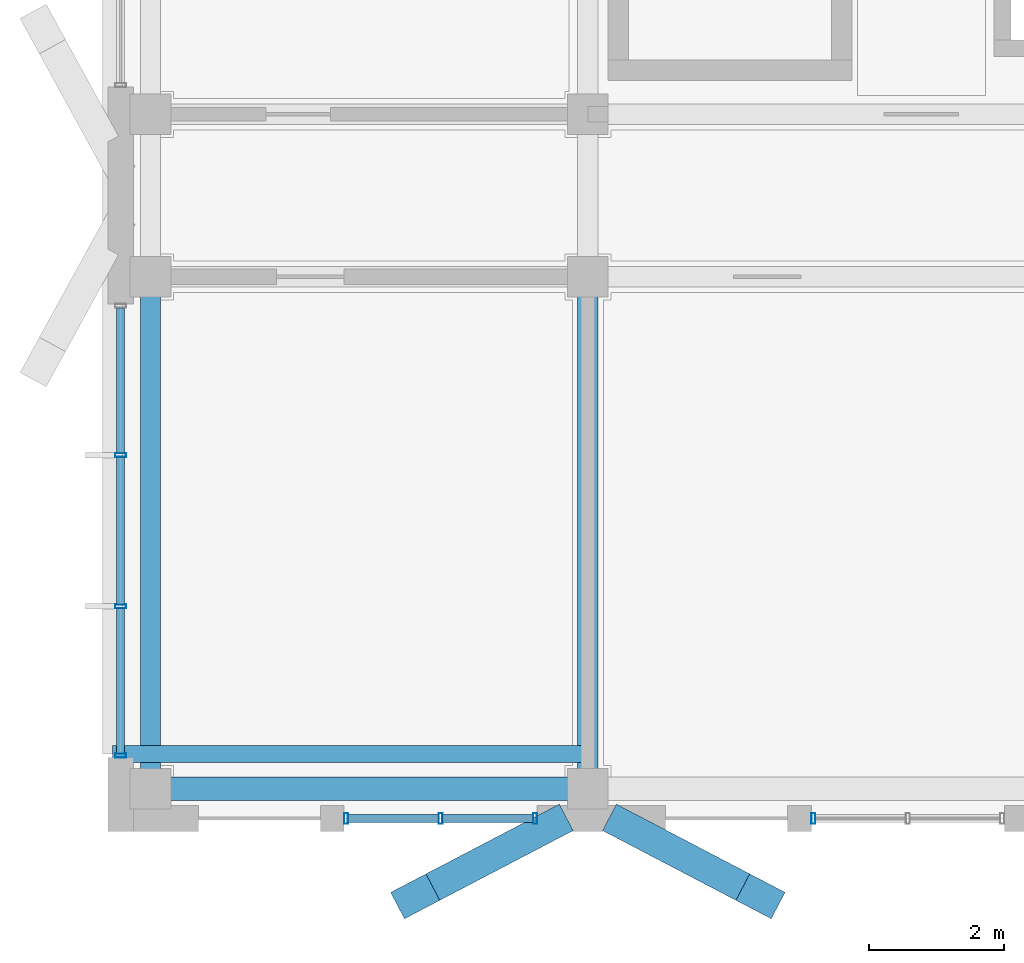
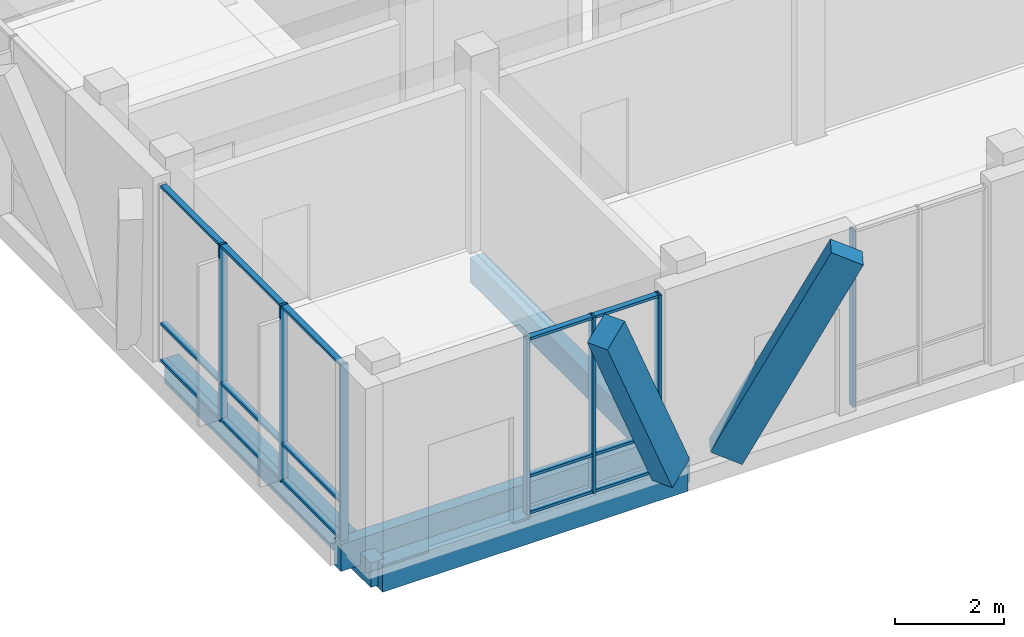
# One storey, part 18 of 233: 24 members, 4 beams, 3 elements without a shape of their own.
"""IFC4 building model written with IfcOpenShell, lengths in metres."""

from ifc_helpers import new_model, si_unit, direction, frame, origin, origin_2d, place, context, subcontext, project, spatial, rectangle, hollow_rectangle, extrude, material, material_profile, profile_set, type_object, element, aggregate, save


model = new_model("IFC4")

# Units and contexts
model_context = context("Model", 3, precision=1e-05, world=origin(), true_north=direction((0.0, 1.0)))
body_context = subcontext(model_context, "Body", "Model", "MODEL_VIEW")
ifc_project = project(units=[si_unit("LENGTHUNIT", "METRE"), si_unit("AREAUNIT", "SQUARE_METRE"), si_unit("VOLUMEUNIT", "CUBIC_METRE"), si_unit("PLANEANGLEUNIT", "RADIAN"), si_unit("MASSUNIT", "GRAM", prefix="KILO")], contexts=[model_context])

# Site, building, storey
site_placement = place(None, origin())
site = spatial("IfcSite", under=ifc_project, at=site_placement, CompositionType="ELEMENT")
building_placement = place(site_placement, origin())
building = spatial("IfcBuilding", under=site, at=building_placement, Name="Zavelmont Quarter", CompositionType="ELEMENT")
storey_placement = place(building_placement, origin())
storey = spatial("IfcBuildingStorey", under=building, at=storey_placement, Name="L00", CompositionType="ELEMENT", Elevation=0.0)

# Beams
ifc_material_1 = material(Name="Concrete C35/45", Category="concrete")
ifc_material_profile_1 = material_profile(ifc_material_1, rectangle(XDim=0.35009765625, YDim=0.60009765625, at=origin_2d()), Name="RC350X600")
ifc_profile_set_1 = profile_set([ifc_material_profile_1], Name="Concrete C35/45")
beam_type_1 = type_object("IfcBeamType", Name="BM01", PredefinedType="SPANDREL", material=ifc_profile_set_1)
beam_1_placement = place(storey_placement, frame((0.43994140625, 0.43994140625, -0.6201171875), z_axis=(1.0, 0.0, 0.0), x_axis=(0.0, 1.0, 0.0)))
element("IfcBeam", 1, at=beam_1_placement, inside=storey, type_object=beam_type_1, Name="L00 beam BM01 1/A to 2/A", PredefinedType="SPANDREL", context=body_context, shape_type="SweptSolid", body=[
    extrude(rectangle(XDim=0.35009765625, YDim=0.60009765625, at=origin_2d()), origin(), (0.0, 0.0, 1.0), 6.4599609375),
])
ifc_material_profile_2 = material_profile(ifc_material_1, rectangle(XDim=0.300048828125, YDim=0.550048828125, at=origin_2d()), Name="RC300X550")
ifc_profile_set_2 = profile_set([ifc_material_profile_2], Name="Concrete C35/45")
beam_type_2 = type_object("IfcBeamType", Name="BM02", PredefinedType="SPANDREL", material=ifc_profile_set_2)
for number, where, z_axis, x_axis, name in (
    (2, (0.43994140625, 0.43994140625, -0.594970703125), (0.0, 1.0, 0.0), (-1.0, 0.0, 0.0), "L00 beam BM02 1/A to 1/B"),
    (3, (6.89990234375, 0.43994140625, -0.594970703125), (0.0, 1.0, 0.0), (-1.0, 0.0, 0.0), "L00 beam BM02 2/A to 2/B"),
):
    element("IfcBeam", number, at=place(storey_placement, frame(where, z_axis=z_axis, x_axis=x_axis)), inside=storey, type_object=beam_type_2, Name=name, PredefinedType="SPANDREL", context=body_context, shape_type="SweptSolid", body=[
        extrude(rectangle(XDim=0.300048828125, YDim=0.550048828125, at=origin_2d()), origin(), (0.0, 0.0, 1.0), 7.56005859375),
    ])
ifc_material_2 = material(Name="Concrete C40/50", Category="concrete")
ifc_material_profile_3 = material_profile(ifc_material_2, rectangle(XDim=0.25, YDim=0.60009765625, at=origin_2d()), Name="RC250X600")
ifc_profile_set_3 = profile_set([ifc_material_profile_3], Name="Concrete C40/50")
beam_type_3 = type_object("IfcBeamType", Name="BM18", PredefinedType="BEAM", material=ifc_profile_set_3)
beam_2_placement = place(storey_placement, frame((6.89990234375, 0.949951171875, -0.300048828125), z_axis=(-1.0, 0.0, 0.0), x_axis=(0.0, -1.0, 0.0)))
element("IfcBeam", 4, at=beam_2_placement, inside=storey, type_object=beam_type_3, Name="L00 beam BM18 2/A to 1/A", PredefinedType="BEAM", context=body_context, shape_type="SweptSolid", body=[
    extrude(rectangle(XDim=0.25, YDim=0.60009765625, at=origin_2d()), origin(), (0.0, 0.0, 1.0), 7.02001953125),
])

# Curtain wall, members
ifc_material_3 = material(Name="Thermally broken aluminium and double low-E safety glazing", Category="aluminium")
curtain_wall_type_1 = type_object("IfcCurtainWallType", Name="CW-285X395", PredefinedType="NOTDEFINED", material=ifc_material_3)
curtain_wall_1_placement = place(storey_placement, origin())
curtain_wall_1 = element("IfcCurtainWall", 5, at=curtain_wall_1_placement, inside=storey, type_object=curtain_wall_type_1, Name="L00 unitised curtain wall CW-285X395", PredefinedType="NOTDEFINED")
ifc_material_4 = material(Name="Powder-coated aluminium EN AW-6063-T6", Category="aluminium")
ifc_material_profile_4 = material_profile(ifc_material_4, hollow_rectangle(XDim=0.06005859375, YDim=0.159912109375, WallThickness=0.00390625, at=origin_2d()), Name="CWM60X160")
ifc_profile_set_4 = profile_set([ifc_material_profile_4], Name="Powder-coated aluminium EN AW-6063-T6")
member_type_1 = type_object("IfcMemberType", Name="CWM01", PredefinedType="MULLION", material=ifc_profile_set_4)
member_1_placement = place(storey_placement, frame((3.330078125, 0.0, 0.0), z_axis=(0.0, 0.0, 1.0), x_axis=(1.0, 0.0, 0.0)))
member_1 = element("IfcMember", 6, at=member_1_placement, type_object=member_type_1, Name="CW-285X395 mullion 1", PredefinedType="MULLION", context=body_context, shape_type="SweptSolid", body=[
    extrude(hollow_rectangle(XDim=0.06005859375, YDim=0.159912109375, WallThickness=0.00390625, at=origin_2d()), origin(), (0.0, 0.0, 1.0), 3.949951171875),
])
member_2_placement = place(storey_placement, frame((4.72509765625, 0.0, 0.0), z_axis=(0.0, 0.0, 1.0), x_axis=(1.0, 0.0, 0.0)))
member_2 = element("IfcMember", 7, at=member_2_placement, type_object=member_type_1, Name="CW-285X395 mullion 2", PredefinedType="MULLION", context=body_context, shape_type="SweptSolid", body=[
    extrude(hollow_rectangle(XDim=0.06005859375, YDim=0.159912109375, WallThickness=0.00390625, at=origin_2d()), origin(), (0.0, 0.0, 1.0), 3.949951171875),
])
member_3_placement = place(storey_placement, frame((6.1201171875, 0.0, 0.0), z_axis=(0.0, 0.0, 1.0), x_axis=(1.0, 0.0, 0.0)))
member_3 = element("IfcMember", 8, at=member_3_placement, type_object=member_type_1, Name="CW-285X395 mullion 3", PredefinedType="MULLION", context=body_context, shape_type="SweptSolid", body=[
    extrude(hollow_rectangle(XDim=0.06005859375, YDim=0.159912109375, WallThickness=0.00390625, at=origin_2d()), origin(), (0.0, 0.0, 1.0), 3.949951171875),
])

# Curtain wall, member
curtain_wall_2_placement = place(storey_placement, origin())
curtain_wall_2 = element("IfcCurtainWall", 9, at=curtain_wall_2_placement, inside=storey, type_object=curtain_wall_type_1, Name="L00 unitised curtain wall CW-285X395", PredefinedType="NOTDEFINED")
member_4_placement = place(storey_placement, frame((10.22998046875, 0.0, 0.0), z_axis=(0.0, 0.0, 1.0), x_axis=(1.0, 0.0, 0.0)))
member_4 = element("IfcMember", 10, at=member_4_placement, type_object=member_type_1, Name="CW-285X395 mullion 1", PredefinedType="MULLION", context=body_context, shape_type="SweptSolid", body=[
    extrude(hollow_rectangle(XDim=0.06005859375, YDim=0.159912109375, WallThickness=0.00390625, at=origin_2d()), origin(), (0.0, 0.0, 1.0), 3.949951171875),
])
aggregate(curtain_wall_2, [member_4])

# Curtain wall, members
curtain_wall_type_2 = type_object("IfcCurtainWallType", Name="CW-670X395", PredefinedType="NOTDEFINED", material=ifc_material_3)
curtain_wall_3_placement = place(storey_placement, origin())
curtain_wall_3 = element("IfcCurtainWall", 11, at=curtain_wall_3_placement, inside=storey, type_object=curtain_wall_type_2, Name="L00 unitised curtain wall CW-670X395", PredefinedType="NOTDEFINED")
member_5_placement = place(storey_placement, frame((0.0, 0.929931640625, 0.0), z_axis=(0.0, 0.0, 1.0), x_axis=(0.0, 1.0, 0.0)))
member_5 = element("IfcMember", 12, at=member_5_placement, type_object=member_type_1, Name="CW-670X395 mullion 1", PredefinedType="MULLION", context=body_context, shape_type="SweptSolid", body=[
    extrude(hollow_rectangle(XDim=0.06005859375, YDim=0.159912109375, WallThickness=0.00390625, at=origin_2d()), origin(), (0.0, 0.0, 1.0), 3.949951171875),
])
member_6_placement = place(storey_placement, frame((0.0, 3.13330078125, 0.0), z_axis=(0.0, 0.0, 1.0), x_axis=(0.0, 1.0, 0.0)))
member_6 = element("IfcMember", 13, at=member_6_placement, type_object=member_type_1, Name="CW-670X395 mullion 2", PredefinedType="MULLION", context=body_context, shape_type="SweptSolid", body=[
    extrude(hollow_rectangle(XDim=0.06005859375, YDim=0.159912109375, WallThickness=0.00390625, at=origin_2d()), origin(), (0.0, 0.0, 1.0), 3.949951171875),
])
member_7_placement = place(storey_placement, frame((0.0, 5.36669921875, 0.0), z_axis=(0.0, 0.0, 1.0), x_axis=(0.0, 1.0, 0.0)))
member_7 = element("IfcMember", 14, at=member_7_placement, type_object=member_type_1, Name="CW-670X395 mullion 3", PredefinedType="MULLION", context=body_context, shape_type="SweptSolid", body=[
    extrude(hollow_rectangle(XDim=0.06005859375, YDim=0.159912109375, WallThickness=0.00390625, at=origin_2d()), origin(), (0.0, 0.0, 1.0), 3.949951171875),
])

# Member
ifc_material_profile_5 = material_profile(ifc_material_4, hollow_rectangle(XDim=0.1201171875, YDim=0.06005859375, WallThickness=0.00390625, at=origin_2d()), Name="CWT60X120")
ifc_profile_set_5 = profile_set([ifc_material_profile_5], Name="Powder-coated aluminium EN AW-6063-T6")
member_type_2 = type_object("IfcMemberType", Name="CWT01", PredefinedType="NOTDEFINED", material=ifc_profile_set_5)
member_8_placement = place(storey_placement, frame((3.360107421875, 0.0, 0.030029296875), z_axis=(1.0, 0.0, 0.0), x_axis=(0.0, 1.0, 0.0)))
member_8 = element("IfcMember", 15, at=member_8_placement, type_object=member_type_2, Name="CW-285X395 transom 1.1", ObjectType="TRANSOM", PredefinedType="USERDEFINED", context=body_context, shape_type="SweptSolid", body=[
    extrude(hollow_rectangle(XDim=0.1201171875, YDim=0.06005859375, WallThickness=0.00390625, at=origin_2d()), origin(), (0.0, 0.0, 1.0), 1.3349609375),
])

member_9_placement = place(storey_placement, frame((3.360107421875, 0.0, 0.85009765625), z_axis=(1.0, 0.0, 0.0), x_axis=(0.0, 1.0, 0.0)))
member_9 = element("IfcMember", 16, at=member_9_placement, type_object=member_type_2, Name="CW-285X395 transom 1.2", ObjectType="TRANSOM", PredefinedType="USERDEFINED", context=body_context, shape_type="SweptSolid", body=[
    extrude(hollow_rectangle(XDim=0.1201171875, YDim=0.06005859375, WallThickness=0.00390625, at=origin_2d()), origin(), (0.0, 0.0, 1.0), 1.3349609375),
])

member_10_placement = place(storey_placement, frame((3.360107421875, 0.0, 3.919921875), z_axis=(1.0, 0.0, 0.0), x_axis=(0.0, 1.0, 0.0)))
member_10 = element("IfcMember", 17, at=member_10_placement, type_object=member_type_2, Name="CW-285X395 transom 1.3", ObjectType="TRANSOM", PredefinedType="USERDEFINED", context=body_context, shape_type="SweptSolid", body=[
    extrude(hollow_rectangle(XDim=0.1201171875, YDim=0.06005859375, WallThickness=0.00390625, at=origin_2d()), origin(), (0.0, 0.0, 1.0), 1.3349609375),
])

member_11_placement = place(storey_placement, frame((4.7548828125, 0.0, 0.030029296875), z_axis=(1.0, 0.0, 0.0), x_axis=(0.0, 1.0, 0.0)))
member_11 = element("IfcMember", 18, at=member_11_placement, type_object=member_type_2, Name="CW-285X395 transom 2.1", ObjectType="TRANSOM", PredefinedType="USERDEFINED", context=body_context, shape_type="SweptSolid", body=[
    extrude(hollow_rectangle(XDim=0.1201171875, YDim=0.06005859375, WallThickness=0.00390625, at=origin_2d()), origin(), (0.0, 0.0, 1.0), 1.335205078125),
])

member_12_placement = place(storey_placement, frame((4.7548828125, 0.0, 0.85009765625), z_axis=(1.0, 0.0, 0.0), x_axis=(0.0, 1.0, 0.0)))
member_12 = element("IfcMember", 19, at=member_12_placement, type_object=member_type_2, Name="CW-285X395 transom 2.2", ObjectType="TRANSOM", PredefinedType="USERDEFINED", context=body_context, shape_type="SweptSolid", body=[
    extrude(hollow_rectangle(XDim=0.1201171875, YDim=0.06005859375, WallThickness=0.00390625, at=origin_2d()), origin(), (0.0, 0.0, 1.0), 1.335205078125),
])

member_13_placement = place(storey_placement, frame((4.7548828125, 0.0, 3.919921875), z_axis=(1.0, 0.0, 0.0), x_axis=(0.0, 1.0, 0.0)))
member_13 = element("IfcMember", 20, at=member_13_placement, type_object=member_type_2, Name="CW-285X395 transom 2.3", ObjectType="TRANSOM", PredefinedType="USERDEFINED", context=body_context, shape_type="SweptSolid", body=[
    extrude(hollow_rectangle(XDim=0.1201171875, YDim=0.06005859375, WallThickness=0.00390625, at=origin_2d()), origin(), (0.0, 0.0, 1.0), 1.335205078125),
])

aggregate(curtain_wall_1, [member_1, member_2, member_3, member_8, member_9, member_10, member_11, member_12, member_13])

member_14_placement = place(storey_placement, frame((0.0, 0.9599609375, 0.030029296875), z_axis=(0.0, 1.0, 0.0), x_axis=(-1.0, 0.0, 0.0)))
member_14 = element("IfcMember", 21, at=member_14_placement, type_object=member_type_2, Name="CW-670X395 transom 1.1", ObjectType="TRANSOM", PredefinedType="USERDEFINED", context=body_context, shape_type="SweptSolid", body=[
    extrude(hollow_rectangle(XDim=0.1201171875, YDim=0.06005859375, WallThickness=0.00390625, at=origin_2d()), origin(), (0.0, 0.0, 1.0), 2.143310546875),
])

member_15_placement = place(storey_placement, frame((0.0, 0.9599609375, 0.85009765625), z_axis=(0.0, 1.0, 0.0), x_axis=(-1.0, 0.0, 0.0)))
member_15 = element("IfcMember", 22, at=member_15_placement, type_object=member_type_2, Name="CW-670X395 transom 1.2", ObjectType="TRANSOM", PredefinedType="USERDEFINED", context=body_context, shape_type="SweptSolid", body=[
    extrude(hollow_rectangle(XDim=0.1201171875, YDim=0.06005859375, WallThickness=0.00390625, at=origin_2d()), origin(), (0.0, 0.0, 1.0), 2.143310546875),
])

member_16_placement = place(storey_placement, frame((0.0, 0.9599609375, 3.919921875), z_axis=(0.0, 1.0, 0.0), x_axis=(-1.0, 0.0, 0.0)))
member_16 = element("IfcMember", 23, at=member_16_placement, type_object=member_type_2, Name="CW-670X395 transom 1.3", ObjectType="TRANSOM", PredefinedType="USERDEFINED", context=body_context, shape_type="SweptSolid", body=[
    extrude(hollow_rectangle(XDim=0.1201171875, YDim=0.06005859375, WallThickness=0.00390625, at=origin_2d()), origin(), (0.0, 0.0, 1.0), 2.143310546875),
])

member_17_placement = place(storey_placement, frame((0.0, 3.163330078125, 0.030029296875), z_axis=(0.0, 1.0, 0.0), x_axis=(-1.0, 0.0, 0.0)))
member_17 = element("IfcMember", 24, at=member_17_placement, type_object=member_type_2, Name="CW-670X395 transom 2.1", ObjectType="TRANSOM", PredefinedType="USERDEFINED", context=body_context, shape_type="SweptSolid", body=[
    extrude(hollow_rectangle(XDim=0.1201171875, YDim=0.06005859375, WallThickness=0.00390625, at=origin_2d()), origin(), (0.0, 0.0, 1.0), 2.17333984375),
])

member_18_placement = place(storey_placement, frame((0.0, 3.163330078125, 0.85009765625), z_axis=(0.0, 1.0, 0.0), x_axis=(-1.0, 0.0, 0.0)))
member_18 = element("IfcMember", 25, at=member_18_placement, type_object=member_type_2, Name="CW-670X395 transom 2.2", ObjectType="TRANSOM", PredefinedType="USERDEFINED", context=body_context, shape_type="SweptSolid", body=[
    extrude(hollow_rectangle(XDim=0.1201171875, YDim=0.06005859375, WallThickness=0.00390625, at=origin_2d()), origin(), (0.0, 0.0, 1.0), 2.17333984375),
])

member_19_placement = place(storey_placement, frame((0.0, 3.163330078125, 3.919921875), z_axis=(0.0, 1.0, 0.0), x_axis=(-1.0, 0.0, 0.0)))
member_19 = element("IfcMember", 26, at=member_19_placement, type_object=member_type_2, Name="CW-670X395 transom 2.3", ObjectType="TRANSOM", PredefinedType="USERDEFINED", context=body_context, shape_type="SweptSolid", body=[
    extrude(hollow_rectangle(XDim=0.1201171875, YDim=0.06005859375, WallThickness=0.00390625, at=origin_2d()), origin(), (0.0, 0.0, 1.0), 2.17333984375),
])

member_20_placement = place(storey_placement, frame((0.0, 5.396728515625, 0.030029296875), z_axis=(0.0, 1.0, 0.0), x_axis=(-1.0, 0.0, 0.0)))
member_20 = element("IfcMember", 27, at=member_20_placement, type_object=member_type_2, Name="CW-670X395 transom 3.1", ObjectType="TRANSOM", PredefinedType="USERDEFINED", context=body_context, shape_type="SweptSolid", body=[
    extrude(hollow_rectangle(XDim=0.1201171875, YDim=0.06005859375, WallThickness=0.00390625, at=origin_2d()), origin(), (0.0, 0.0, 1.0), 2.143310546875),
])

member_21_placement = place(storey_placement, frame((0.0, 5.396728515625, 0.85009765625), z_axis=(0.0, 1.0, 0.0), x_axis=(-1.0, 0.0, 0.0)))
member_21 = element("IfcMember", 28, at=member_21_placement, type_object=member_type_2, Name="CW-670X395 transom 3.2", ObjectType="TRANSOM", PredefinedType="USERDEFINED", context=body_context, shape_type="SweptSolid", body=[
    extrude(hollow_rectangle(XDim=0.1201171875, YDim=0.06005859375, WallThickness=0.00390625, at=origin_2d()), origin(), (0.0, 0.0, 1.0), 2.143310546875),
])

member_22_placement = place(storey_placement, frame((0.0, 5.396728515625, 3.919921875), z_axis=(0.0, 1.0, 0.0), x_axis=(-1.0, 0.0, 0.0)))
member_22 = element("IfcMember", 29, at=member_22_placement, type_object=member_type_2, Name="CW-670X395 transom 3.3", ObjectType="TRANSOM", PredefinedType="USERDEFINED", context=body_context, shape_type="SweptSolid", body=[
    extrude(hollow_rectangle(XDim=0.1201171875, YDim=0.06005859375, WallThickness=0.00390625, at=origin_2d()), origin(), (0.0, 0.0, 1.0), 2.143310546875),
])

aggregate(curtain_wall_3, [member_5, member_6, member_7, member_14, member_15, member_16, member_17, member_18, member_19, member_20, member_21, member_22])

# Members
ifc_material_5 = material(Name="White architectural precast concrete C40/50", Category="concrete")
ifc_material_profile_6 = material_profile(ifc_material_5, rectangle(XDim=0.43994140625, YDim=0.659912109375, at=origin_2d()), Name="PCR320X480")
ifc_profile_set_6 = profile_set([ifc_material_profile_6], Name="White architectural precast concrete C40/50")
member_type_3 = type_object("IfcMemberType", Name="VR01M", PredefinedType="CHORD", material=ifc_profile_set_6)
for number, where, z_axis, x_axis, name in (
    (30, (6.320068359375, -0.1201171875, 0.0), (-0.399583899056, -0.208904918966, 0.892575734852), (0.463309106647, -0.886196745479, 0.0), "L00 member VR01M 2/A to 2/A"),
    (31, (7.47998046875, -0.1201171875, 0.0), (0.399583899056, -0.208904918966, 0.892575734852), (0.463309106647, 0.886196745479, 0.0), "L00 member VR01M 2/A to 2/A"),
):
    element("IfcMember", number, at=place(storey_placement, frame(where, z_axis=z_axis, x_axis=x_axis)), inside=storey, type_object=member_type_3, Name=name, PredefinedType="CHORD", context=body_context, shape_type="SweptSolid", body=[
        extrude(rectangle(XDim=0.43994140625, YDim=0.659912109375, at=origin_2d()), origin(), (0.0, 0.0, 1.0), 4.929443359375),
    ])

save(model, "model.ifc")
